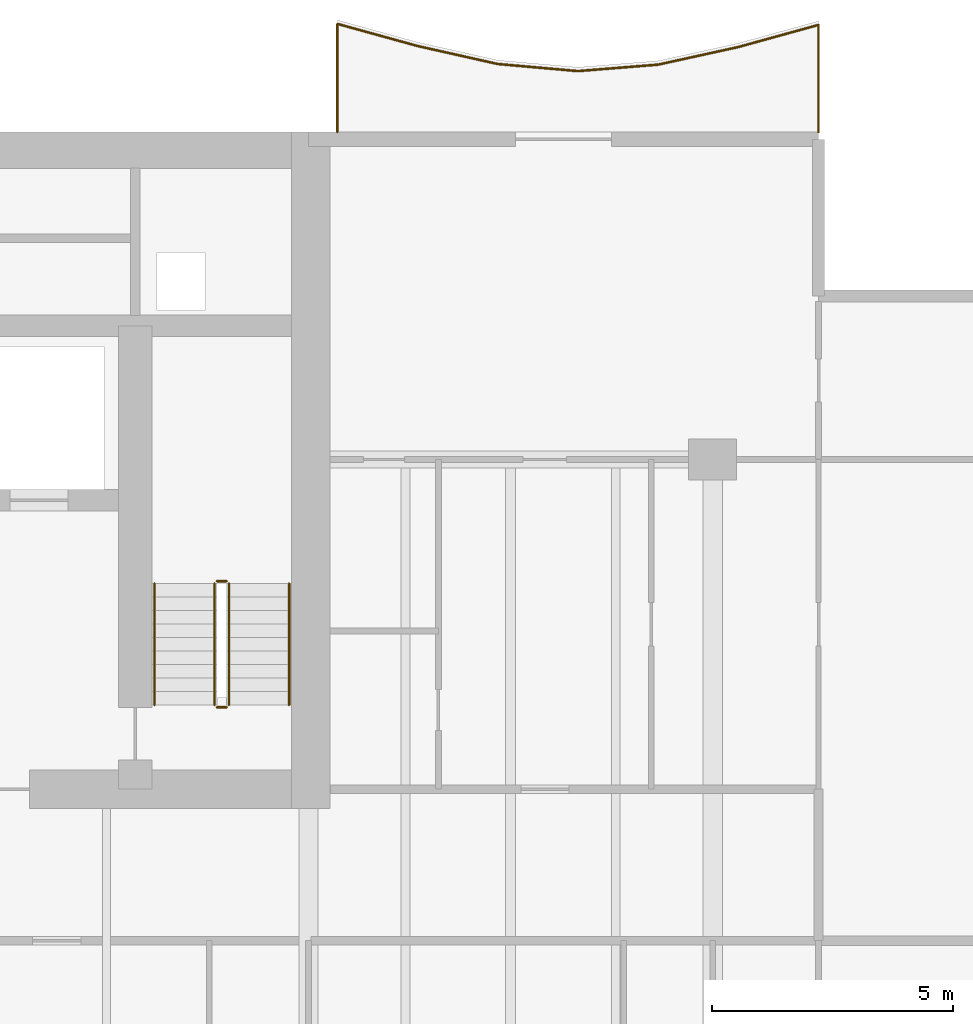
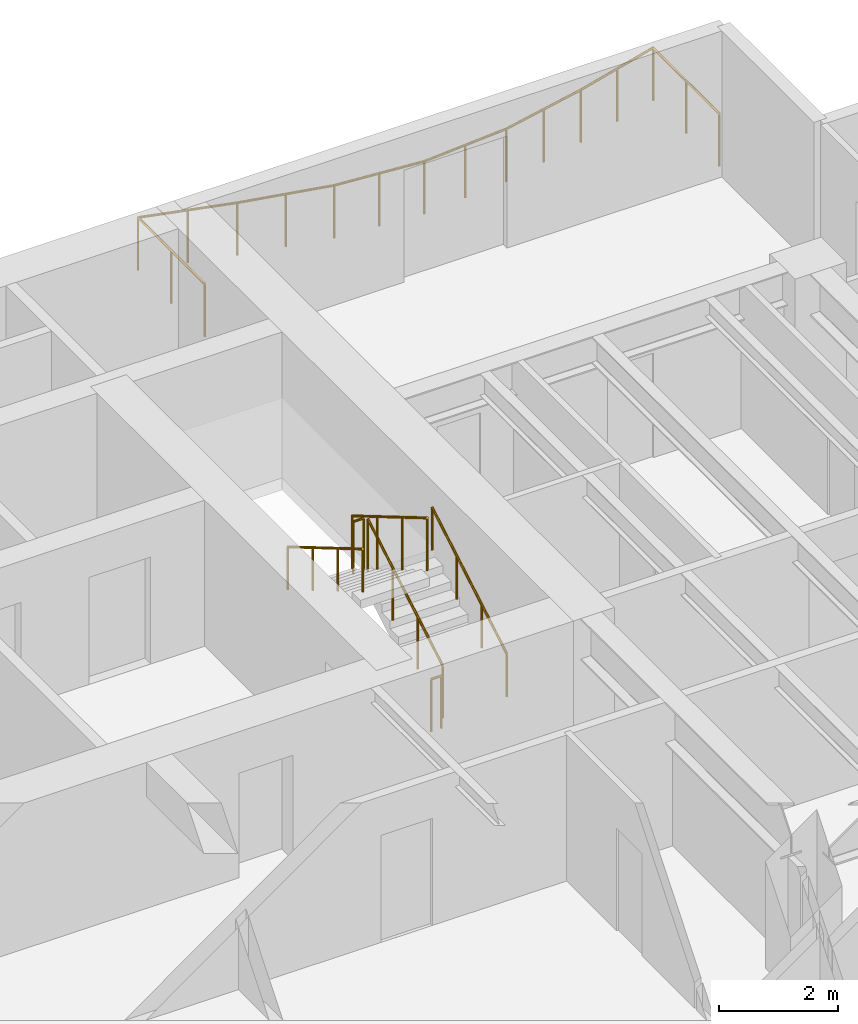
# One storey, part 18 of 19: 7 railings.
"""IFC4 building model written with IfcOpenShell, lengths in metres."""

from ifc_helpers import new_model, si_unit, direction, frame, origin, origin_2d, place, context, subcontext, project, spatial, circle, extrude, material, type_object, element, save


model = new_model("IFC4")

# Units and contexts
model_context = context("Model", 3, precision=1e-05, world=origin(), true_north=direction((0.0, 1.0)))
body_context = subcontext(model_context, "Body", "Model", "MODEL_VIEW")
ifc_project = project(units=[si_unit("LENGTHUNIT", "METRE"), si_unit("AREAUNIT", "SQUARE_METRE"), si_unit("VOLUMEUNIT", "CUBIC_METRE"), si_unit("PLANEANGLEUNIT", "RADIAN"), si_unit("MASSUNIT", "GRAM", prefix="KILO")], contexts=[model_context])

# Site, building, storey
site_placement = place(None, origin())
site = spatial("IfcSite", under=ifc_project, at=site_placement, CompositionType="ELEMENT")
building_placement = place(site_placement, origin())
building = spatial("IfcBuilding", under=site, at=building_placement, Name="Caelmar Bay Residences", CompositionType="ELEMENT")
storey_placement = place(building_placement, frame((0.0, 0.0, 94.5)))
storey = spatial("IfcBuildingStorey", under=building, at=storey_placement, Name="L25", CompositionType="ELEMENT", Elevation=94.5)

# Railings
ifc_material_1 = material(Name="Anodised bronze handrail with laminated hurricane glass infill", Category="glass")
railing_type_1 = type_object("IfcRailingType", Name="RL-BAL-1100", PredefinedType="BALUSTRADE", material=ifc_material_1)
railing_1_placement = place(storey_placement, frame((70.10009765625, 50.60009765625, 0.0)))
element("IfcRailing", 1, at=railing_1_placement, inside=storey, type_object=railing_type_1, Name="L25 north_east Balcony Balustrade", PredefinedType="BALUSTRADE", context=body_context, shape_type="SweptSolid", body=[
    extrude(circle(Radius=0.02392578125, at=origin_2d()), frame((0.0, 0.0, 1.076171875), z_axis=(0.0, 1.0, 0.0), x_axis=(-1.0, 0.0, 0.0)), (0.0, 0.0, 1.0), 2.230224609375),
    extrude(circle(Radius=0.02392578125, at=origin_2d()), frame((0.0, 2.230224609375, 1.076171875), z_axis=(-0.964003851304, -0.265888274792, 0.0), x_axis=(0.265888274792, -0.964003851304, 0.0)), (0.0, 0.0, 1.0), 1.72900390625),
    extrude(circle(Radius=0.02392578125, at=origin_2d()), frame((-1.666748046875, 1.7705078125, 1.076171875), z_axis=(-0.976732649354, -0.214460559745, 0.0), x_axis=(0.214460559745, -0.976732649354, 0.0)), (0.0, 0.0, 1.0), 1.70654296875),
    extrude(circle(Radius=0.02392578125, at=origin_2d()), frame((-3.33349609375, 1.404541015625, 1.076171875), z_axis=(-0.996757913482, -0.080459069782, 0.0), x_axis=(0.080459069782, -0.996757913482, 0.0)), (0.0, 0.0, 1.0), 1.671875),
    extrude(circle(Radius=0.02392578125, at=origin_2d()), frame((-5.0, 1.27001953125, 1.076171875), z_axis=(-0.99610915751, 0.088128011006, 0.0), x_axis=(-0.088128011006, -0.99610915751, 0.0)), (0.0, 0.0, 1.0), 1.67333984375),
    extrude(circle(Radius=0.02392578125, at=origin_2d()), frame((-6.666748046875, 1.41748046875, 1.076171875), z_axis=(-0.975703783406, 0.219093877246, 0.0), x_axis=(-0.219093877246, -0.975703783406, 0.0)), (0.0, 0.0, 1.0), 1.708251953125),
    extrude(circle(Radius=0.02392578125, at=origin_2d()), frame((-8.33349609375, 1.791748046875, 1.076171875), z_axis=(-0.963957656343, 0.266055702395, 0.0), x_axis=(-0.266055702395, -0.963957656343, 0.0)), (0.0, 0.0, 1.0), 1.728759765625),
    extrude(circle(Radius=0.02392578125, at=origin_2d()), frame((-10.0, 2.251708984375, 1.076171875), z_axis=(0.0, -1.0, 0.0), x_axis=(1.0, 0.0, 0.0)), (0.0, 0.0, 1.0), 2.251708984375),
    extrude(circle(Radius=0.02099609375, at=origin_2d()), origin(), (0.0, 0.0, 1.0), 1.052001953125),
    extrude(circle(Radius=0.02099609375, at=origin_2d()), frame((0.0, 1.115234375, 0.0)), (0.0, 0.0, 1.0), 1.052001953125),
    extrude(circle(Radius=0.02099609375, at=origin_2d()), frame((0.0, 2.230224609375, 0.0)), (0.0, 0.0, 1.0), 1.052001953125),
    extrude(circle(Radius=0.02099609375, at=origin_2d()), frame((-0.83349609375, 2.00048828125, 0.0)), (0.0, 0.0, 1.0), 1.052001953125),
    extrude(circle(Radius=0.02099609375, at=origin_2d()), frame((-1.666748046875, 1.7705078125, 0.0)), (0.0, 0.0, 1.0), 1.052001953125),
    extrude(circle(Radius=0.02099609375, at=origin_2d()), frame((-2.5, 1.58740234375, 0.0)), (0.0, 0.0, 1.0), 1.052001953125),
    extrude(circle(Radius=0.02099609375, at=origin_2d()), frame((-3.33349609375, 1.404541015625, 0.0)), (0.0, 0.0, 1.0), 1.052001953125),
    extrude(circle(Radius=0.02099609375, at=origin_2d()), frame((-4.166748046875, 1.33740234375, 0.0)), (0.0, 0.0, 1.0), 1.052001953125),
    extrude(circle(Radius=0.02099609375, at=origin_2d()), frame((-5.0, 1.27001953125, 0.0)), (0.0, 0.0, 1.0), 1.052001953125),
    extrude(circle(Radius=0.02099609375, at=origin_2d()), frame((-5.83349609375, 1.34375, 0.0)), (0.0, 0.0, 1.0), 1.052001953125),
    extrude(circle(Radius=0.02099609375, at=origin_2d()), frame((-6.666748046875, 1.41748046875, 0.0)), (0.0, 0.0, 1.0), 1.052001953125),
    extrude(circle(Radius=0.02099609375, at=origin_2d()), frame((-7.5, 1.6044921875, 0.0)), (0.0, 0.0, 1.0), 1.052001953125),
    extrude(circle(Radius=0.02099609375, at=origin_2d()), frame((-8.33349609375, 1.791748046875, 0.0)), (0.0, 0.0, 1.0), 1.052001953125),
    extrude(circle(Radius=0.02099609375, at=origin_2d()), frame((-9.166748046875, 2.021728515625, 0.0)), (0.0, 0.0, 1.0), 1.052001953125),
    extrude(circle(Radius=0.02099609375, at=origin_2d()), frame((-10.0, 2.251708984375, 0.0)), (0.0, 0.0, 1.0), 1.052001953125),
    extrude(circle(Radius=0.02099609375, at=origin_2d()), frame((-10.0, 1.1259765625, 0.0)), (0.0, 0.0, 1.0), 1.052001953125),
    extrude(circle(Radius=0.02099609375, at=origin_2d()), frame((-10.0, 0.0, 0.0)), (0.0, 0.0, 1.0), 1.052001953125),
])
ifc_material_2 = material(Name="Painted galvanized steel stair guard 1100 mm", Category="steel")
railing_type_2 = type_object("IfcRailingType", Name="RL-GRD-1100", PredefinedType="GUARDRAIL", material=ifc_material_2)
railing_2_placement = place(storey_placement, frame((57.85009765625, 38.699951171875, 0.1650390625)))
element("IfcRailing", 2, at=railing_2_placement, inside=storey, type_object=railing_type_2, Name="L25 ST2 stair guard 1", PredefinedType="GUARDRAIL", context=body_context, shape_type="SweptSolid", body=[
    extrude(circle(Radius=0.02392578125, at=origin_2d()), frame((0.0, 0.0, 1.076171875), z_axis=(0.0, 0.861560626758, 0.507654692109), x_axis=(-1.0, 0.0, 0.0)), (0.0, 0.0, 1.0), 2.925048828125),
    extrude(circle(Radius=0.02099609375, at=origin_2d()), origin(), (0.0, 0.0, 1.0), 1.052001953125),
    extrude(circle(Radius=0.02099609375, at=origin_2d()), frame((0.0, 0.840087890625, 0.494873046875)), (0.0, 0.0, 1.0), 1.052001953125),
    extrude(circle(Radius=0.02099609375, at=origin_2d()), frame((0.0, 1.679931640625, 0.989990234375)), (0.0, 0.0, 1.0), 1.052001953125),
    extrude(circle(Radius=0.02099609375, at=origin_2d()), frame((0.0, 2.52001953125, 1.48486328125)), (0.0, 0.0, 1.0), 1.052001953125),
])
railing_3_placement = place(storey_placement, frame((57.800048828125, 41.27001953125, 1.64990234375)))
element("IfcRailing", 3, at=railing_3_placement, inside=storey, type_object=railing_type_2, Name="L25 ST2 stair guard 2", PredefinedType="GUARDRAIL", context=body_context, shape_type="SweptSolid", body=[
    extrude(circle(Radius=0.02392578125, at=origin_2d()), frame((0.0, 0.0, 1.076171875), z_axis=(-1.0, 0.0, 0.0), x_axis=(0.0, -1.0, 0.0)), (0.0, 0.0, 1.0), 0.199951171875),
    extrude(circle(Radius=0.02099609375, at=origin_2d()), origin(), (0.0, 0.0, 1.0), 1.052001953125),
    extrude(circle(Radius=0.02099609375, at=origin_2d()), frame((-0.199951171875, 0.0, 0.0)), (0.0, 0.0, 1.0), 1.052001953125),
])
railing_4_placement = place(storey_placement, frame((57.550048828125, 41.219970703125, 1.81494140625)))
element("IfcRailing", 4, at=railing_4_placement, inside=storey, type_object=railing_type_2, Name="L25 ST2 stair guard 3", PredefinedType="GUARDRAIL", context=body_context, shape_type="SweptSolid", body=[
    extrude(circle(Radius=0.02392578125, at=origin_2d()), frame((0.0, 0.0, 1.076171875), z_axis=(0.0, -0.86152411907, 0.507716645641), x_axis=(1.0, 0.0, 0.0)), (0.0, 0.0, 1.0), 2.925048828125),
    extrude(circle(Radius=0.02099609375, at=origin_2d()), origin(), (0.0, 0.0, 1.0), 1.052001953125),
    extrude(circle(Radius=0.02099609375, at=origin_2d()), frame((0.0, -0.840087890625, 0.4951171875)), (0.0, 0.0, 1.0), 1.052001953125),
    extrude(circle(Radius=0.02099609375, at=origin_2d()), frame((0.0, -1.679931640625, 0.989990234375)), (0.0, 0.0, 1.0), 1.052001953125),
    extrude(circle(Radius=0.02099609375, at=origin_2d()), frame((0.0, -2.52001953125, 1.485107421875)), (0.0, 0.0, 1.0), 1.052001953125),
])
railing_5_placement = place(storey_placement, frame((57.800048828125, 38.64990234375, 0.0)))
element("IfcRailing", 5, at=railing_5_placement, inside=storey, type_object=railing_type_2, Name="L25 ST2 stair guard 4", PredefinedType="GUARDRAIL", context=body_context, shape_type="SweptSolid", body=[
    extrude(circle(Radius=0.02392578125, at=origin_2d()), frame((0.0, 0.0, 1.076171875), z_axis=(-1.0, 0.0, 0.0), x_axis=(0.0, -1.0, 0.0)), (0.0, 0.0, 1.0), 0.199951171875),
    extrude(circle(Radius=0.02099609375, at=origin_2d()), origin(), (0.0, 0.0, 1.0), 1.052001953125),
    extrude(circle(Radius=0.02099609375, at=origin_2d()), frame((-0.199951171875, 0.0, 0.0)), (0.0, 0.0, 1.0), 1.052001953125),
])
ifc_material_3 = material(Name="Brushed bronze stainless-steel tubular handrail 900 mm", Category="steel")
railing_type_3 = type_object("IfcRailingType", Name="RL-HND-900", PredefinedType="HANDRAIL", material=ifc_material_3)
railing_6_placement = place(storey_placement, frame((59.10009765625, 38.699951171875, 0.1650390625)))
element("IfcRailing", 6, at=railing_6_placement, inside=storey, type_object=railing_type_3, Name="L25 ST2 stair handrail 1", PredefinedType="HANDRAIL", context=body_context, shape_type="SweptSolid", body=[
    extrude(circle(Radius=0.02392578125, at=origin_2d()), frame((0.0, 0.0, 0.8759765625), z_axis=(0.0, 0.861560626758, 0.507654692109), x_axis=(-1.0, 0.0, 0.0)), (0.0, 0.0, 1.0), 2.925048828125),
    extrude(circle(Radius=0.02099609375, at=origin_2d()), origin(), (0.0, 0.0, 1.0), 0.851806640625),
    extrude(circle(Radius=0.02099609375, at=origin_2d()), frame((0.0, 0.840087890625, 0.494873046875)), (0.0, 0.0, 1.0), 0.851806640625),
    extrude(circle(Radius=0.02099609375, at=origin_2d()), frame((0.0, 1.679931640625, 0.989990234375)), (0.0, 0.0, 1.0), 0.851806640625),
    extrude(circle(Radius=0.02099609375, at=origin_2d()), frame((0.0, 2.52001953125, 1.48486328125)), (0.0, 0.0, 1.0), 0.851806640625),
])
railing_7_placement = place(storey_placement, frame((56.300048828125, 41.219970703125, 1.81494140625)))
element("IfcRailing", 7, at=railing_7_placement, inside=storey, type_object=railing_type_3, Name="L25 ST2 stair handrail 2", PredefinedType="HANDRAIL", context=body_context, shape_type="SweptSolid", body=[
    extrude(circle(Radius=0.02392578125, at=origin_2d()), frame((0.0, 0.0, 0.8759765625), z_axis=(0.0, -0.86152411907, 0.507716645641), x_axis=(1.0, 0.0, 0.0)), (0.0, 0.0, 1.0), 2.925048828125),
    extrude(circle(Radius=0.02099609375, at=origin_2d()), origin(), (0.0, 0.0, 1.0), 0.851806640625),
    extrude(circle(Radius=0.02099609375, at=origin_2d()), frame((0.0, -0.840087890625, 0.4951171875)), (0.0, 0.0, 1.0), 0.851806640625),
    extrude(circle(Radius=0.02099609375, at=origin_2d()), frame((0.0, -1.679931640625, 0.989990234375)), (0.0, 0.0, 1.0), 0.851806640625),
    extrude(circle(Radius=0.02099609375, at=origin_2d()), frame((0.0, -2.52001953125, 1.485107421875)), (0.0, 0.0, 1.0), 0.851806640625),
])

save(model, "model.ifc")
